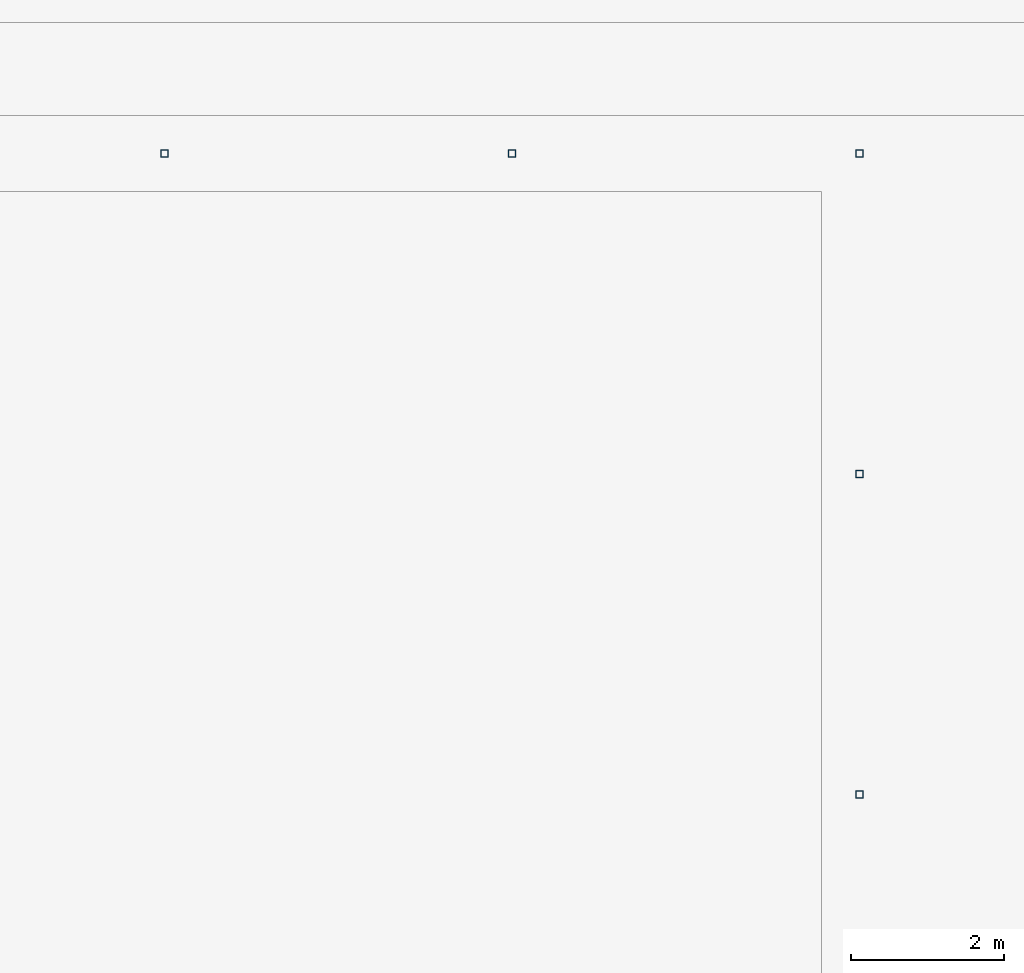
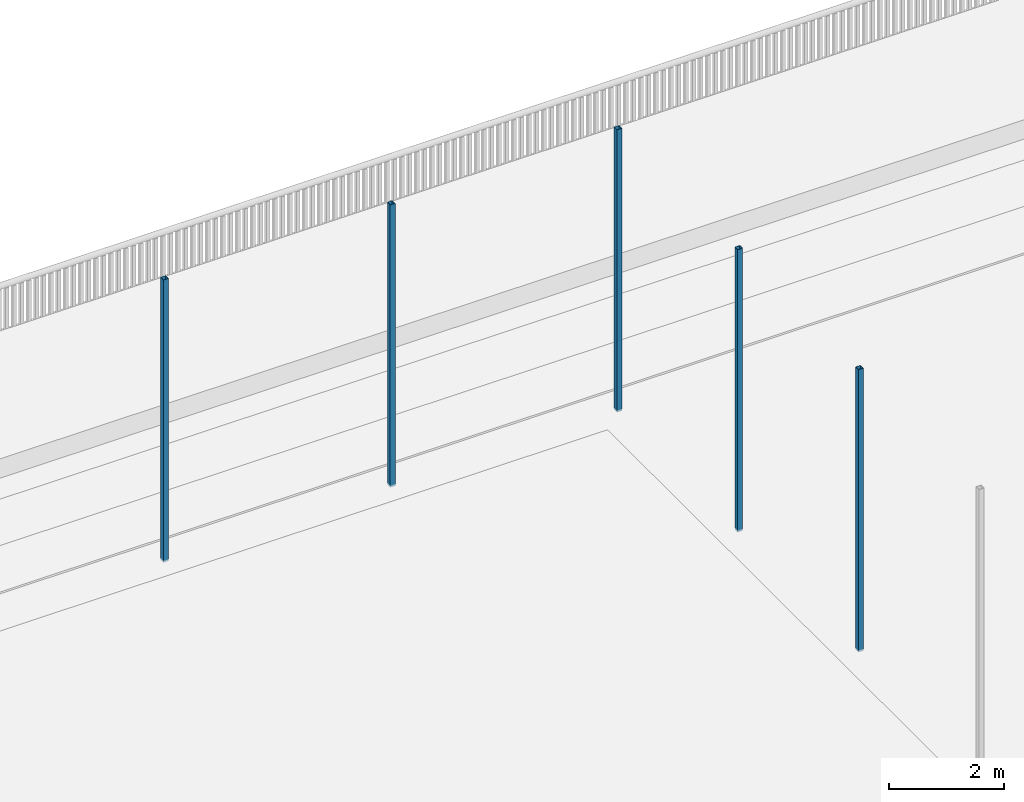
# One storey, part 81 of 127: 5 discrete accessories.
"""IFC4 building model written with IfcOpenShell, lengths in metres."""

from ifc_helpers import new_model, si_unit, direction, frame, origin, origin_2d, place, context, subcontext, project, spatial, hollow_rectangle, extrude, material, type_object, element, save


model = new_model("IFC4")

# Units and contexts
model_context = context("Model", 3, precision=1e-05, world=origin(), true_north=direction((0.0, 1.0)))
body_context = subcontext(model_context, "Body", "Model", "MODEL_VIEW")
ifc_project = project(units=[si_unit("LENGTHUNIT", "METRE"), si_unit("AREAUNIT", "SQUARE_METRE"), si_unit("VOLUMEUNIT", "CUBIC_METRE"), si_unit("PLANEANGLEUNIT", "RADIAN"), si_unit("MASSUNIT", "GRAM", prefix="KILO")], contexts=[model_context])

# Site, building, storey
site_placement = place(None, origin())
site = spatial("IfcSite", under=ifc_project, at=site_placement, CompositionType="ELEMENT")
building_placement = place(site_placement, origin())
building = spatial("IfcBuilding", under=site, at=building_placement, Name="Verrick Yard Athletic Hall", CompositionType="ELEMENT")
storey_placement = place(building_placement, frame((0.0, 0.0, 14.0)))
storey = spatial("IfcBuildingStorey", under=building, at=storey_placement, Name="L03", CompositionType="ELEMENT", Elevation=14.0)

# Discrete accessories
ifc_material = material(Name="Structural steel HSS Class C 350W (CSA G40.20/G40.21)", Category="steel")
discrete_accessory_type = type_object("IfcDiscreteAccessoryType", Name="Ball stop post", PredefinedType="USERDEFINED", material=ifc_material)
for number, where, z_axis, x_axis, name in (
    (1, (119.300048828125, 38.10009765625, 0.0), (0.0, 0.0, 1.0), (1.0, 0.0, 0.0), "Ball stop post 13"),
    (2, (119.300048828125, 42.300048828125, 0.0), (0.0, 0.0, 1.0), (1.0, 0.0, 0.0), "Ball stop post 14"),
    (3, (119.300048828125, 46.5, 0.0), (0.0, 0.0, 1.0), (1.0, 0.0, 0.0), "Ball stop post 15"),
    (4, (114.744384765625, 46.5, 0.0), (0.0, 0.0, 1.0), (1.0, 0.0, 0.0), "Ball stop post 16"),
    (5, (110.18896484375, 46.5, 0.0), (0.0, 0.0, 1.0), (1.0, 0.0, 0.0), "Ball stop post 17"),
):
    element("IfcDiscreteAccessory", number, at=place(storey_placement, frame(where, z_axis=z_axis, x_axis=x_axis)), inside=storey, type_object=discrete_accessory_type, Name=name, ObjectType="BALL STOP POST", PredefinedType="USERDEFINED", context=body_context, shape_type="SweptSolid", body=[
        extrude(hollow_rectangle(XDim=0.1015625, YDim=0.1015625, WallThickness=0.00634765625, at=origin_2d()), origin(), (0.0, 0.0, 1.0), 6.0),
    ])

save(model, "model.ifc")
